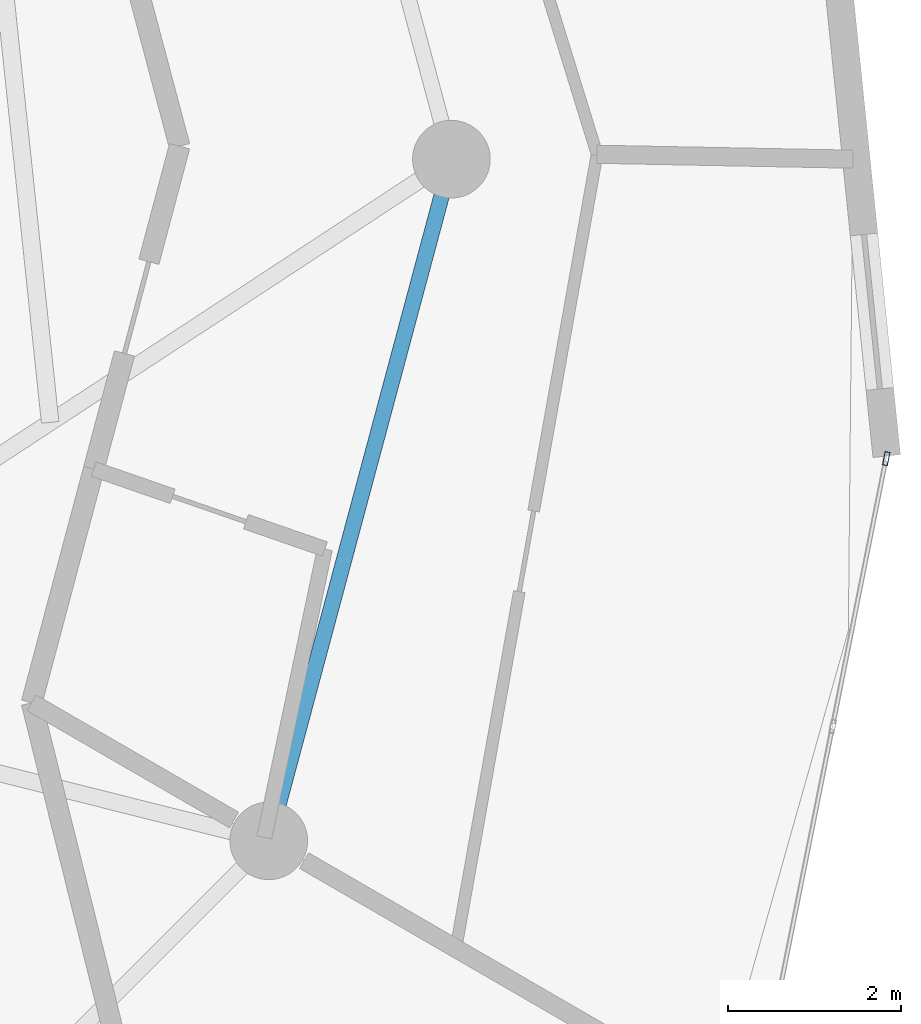
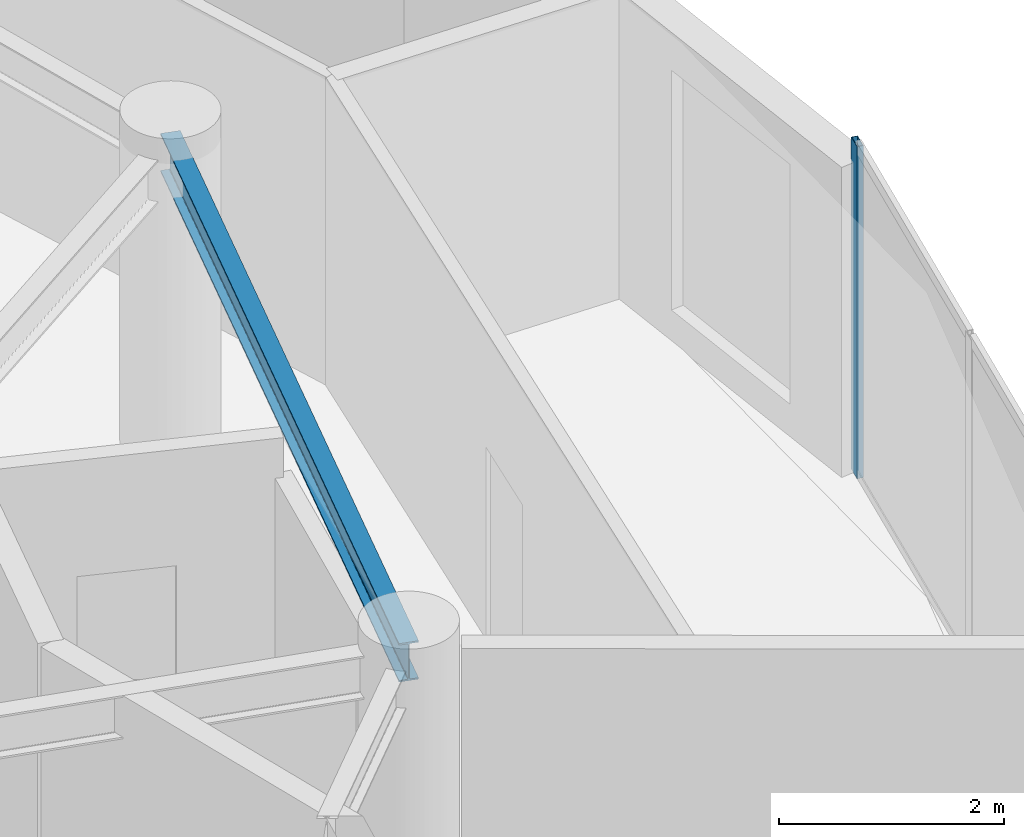
# One storey, part 7 of 17: 1 beam, 1 member, 1 element without a shape of its own.
"""IFC4 building model written with IfcOpenShell, lengths in metres."""

from ifc_helpers import new_model, si_unit, direction, frame, origin, origin_2d, place, context, subcontext, project, spatial, hollow_rectangle, i_section, extrude, source, transform, mapped, material, layer, layer_set, material_profile, profile_set, type_object, element, aggregate, save


model = new_model("IFC4")

# Units and contexts
model_context = context("Model", 3, precision=1e-05, world=origin(), true_north=direction((0.0, 1.0)))
body_context = subcontext(model_context, "Body", "Model", "MODEL_VIEW")
ifc_project = project(units=[si_unit("LENGTHUNIT", "METRE"), si_unit("AREAUNIT", "SQUARE_METRE"), si_unit("VOLUMEUNIT", "CUBIC_METRE"), si_unit("PLANEANGLEUNIT", "RADIAN"), si_unit("MASSUNIT", "GRAM", prefix="KILO")], contexts=[model_context])

# Site, building, storey
site_placement = place(None, origin())
site = spatial("IfcSite", under=ifc_project, at=site_placement, CompositionType="ELEMENT")
building_placement = place(site_placement, origin())
building = spatial("IfcBuilding", under=site, at=building_placement, Name="Solvirekh Grand Hotel", CompositionType="ELEMENT")
storey_placement = place(building_placement, frame((0.0, 0.0, 191.199951171875)))
storey = spatial("IfcBuildingStorey", under=building, at=storey_placement, Name="L49", CompositionType="ELEMENT", Elevation=191.199951171875)

# Beam
ifc_material_1 = material(Name="Steel S355", Category="steel")
ifc_material_profile_1 = material_profile(ifc_material_1, i_section(OverallWidth=0.180908203125, OverallDepth=0.4169921875, WebThickness=0.010009765625, FlangeThickness=0.01611328125, FilletRadius=0.011962890625, at=origin_2d()), Name="W410X85")
ifc_profile_set_1 = profile_set([ifc_material_profile_1], Name="Steel S355")
beam_type = type_object("IfcBeamType", Name="Spandrel_Ring_W410", PredefinedType="SPANDREL", material=ifc_profile_set_1)
beam_placement = place(storey_placement, frame((13.68310546875, -7.89990234375, 3.152099609375), z_axis=(0.258838541915, 0.965920601923, 0.0), x_axis=(-0.965920601923, 0.258838541915, 0.0)))
element("IfcBeam", 1, at=beam_placement, inside=storey, type_object=beam_type, Name="L49 perimeter spandrel beam 12", PredefinedType="SPANDREL", context=body_context, shape_type="SweptSolid", body=[
    extrude(i_section(OverallWidth=0.180908203125, OverallDepth=0.4169921875, WebThickness=0.010009765625, FlangeThickness=0.01611328125, FilletRadius=0.011962890625, at=origin_2d()), origin(), (0.0, 0.0, 1.0), 8.1787109375),
])

# Curtain wall, member
ifc_material_2 = material(Name="Anodized Bronze Aluminium 6063-T6", Category="aluminium")
ifc_layer = layer(ifc_material_2, 0.159912109375)
ifc_layer_set = layer_set([ifc_layer], Name="Anodized Bronze Aluminium 6063-T6")
curtain_wall_type = type_object("IfcCurtainWallType", Name="CW_Sys4_HighZoneFlushBronzeCW", PredefinedType="NOTDEFINED", material=ifc_layer_set)
curtain_wall_placement = place(storey_placement, origin())
curtain_wall = element("IfcCurtainWall", 2, at=curtain_wall_placement, inside=storey, type_object=curtain_wall_type, Name="L49 unitised bronze-glass curtain wall CW-L49-C03", PredefinedType="NOTDEFINED")
ifc_material_profile_2 = material_profile(ifc_material_2, hollow_rectangle(XDim=0.06005859375, YDim=0.159912109375, WallThickness=0.0048828125, at=origin_2d()), Name="ALU RHS 160X60X5")
ifc_profile_set_2 = profile_set([ifc_material_profile_2], Name="Anodized Bronze Aluminium 6063-T6")
member_type = type_object("IfcMemberType", Name="CWMullion_Sys4", PredefinedType="MULLION", material=ifc_profile_set_2)
shared_shape = source(origin(), body_context, "Body", "SweptSolid", [
    extrude(hollow_rectangle(XDim=0.06005859375, YDim=0.159912109375, WallThickness=0.0048828125, at=origin_2d()), origin(), (0.0, 0.0, 1.0), 3.60009765625),
])
member_placement = place(storey_placement, frame((20.839111328125, -3.470458984375, 0.0), z_axis=(0.0, 0.0, 1.0), x_axis=(-0.980610764538, 0.195965630846, 0.0)))
member = element("IfcMember", 3, at=member_placement, type_object=member_type, Name="U04 mullion 3", PredefinedType="MULLION", context=body_context, shape_type="MappedRepresentation", body=[
    mapped(shared_shape, transform((0.0, 0.0, 0.0), x_axis=(1.0, 0.0, 0.0), y_axis=(0.0, 1.0, 0.0), z_axis=(0.0, 0.0, 1.0), scale=1.0)),
])
aggregate(curtain_wall, [member])

save(model, "model.ifc")
